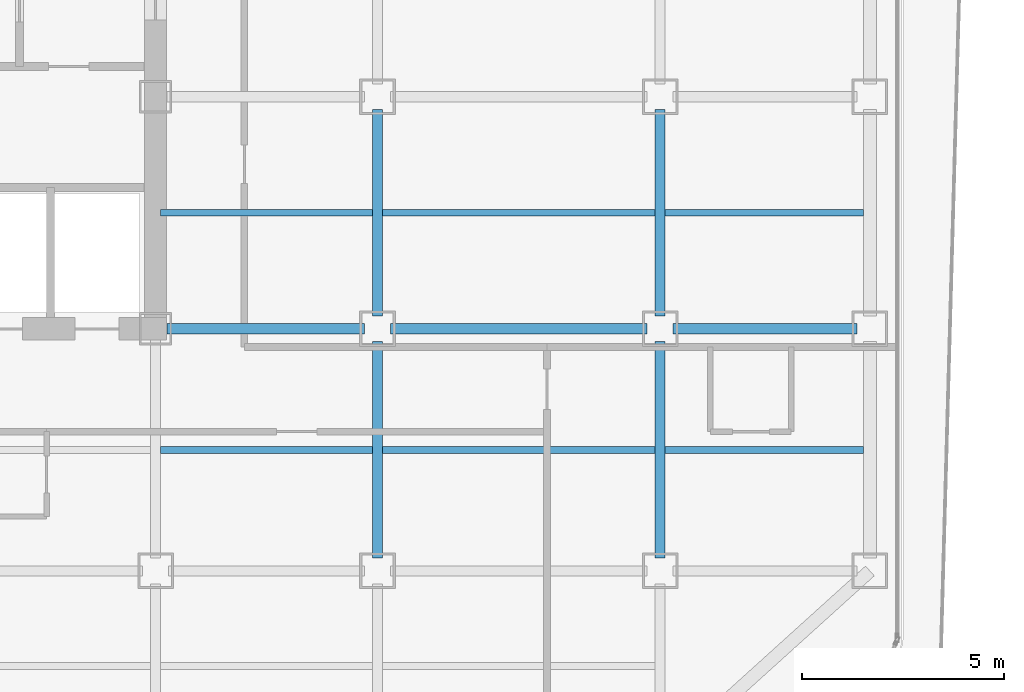
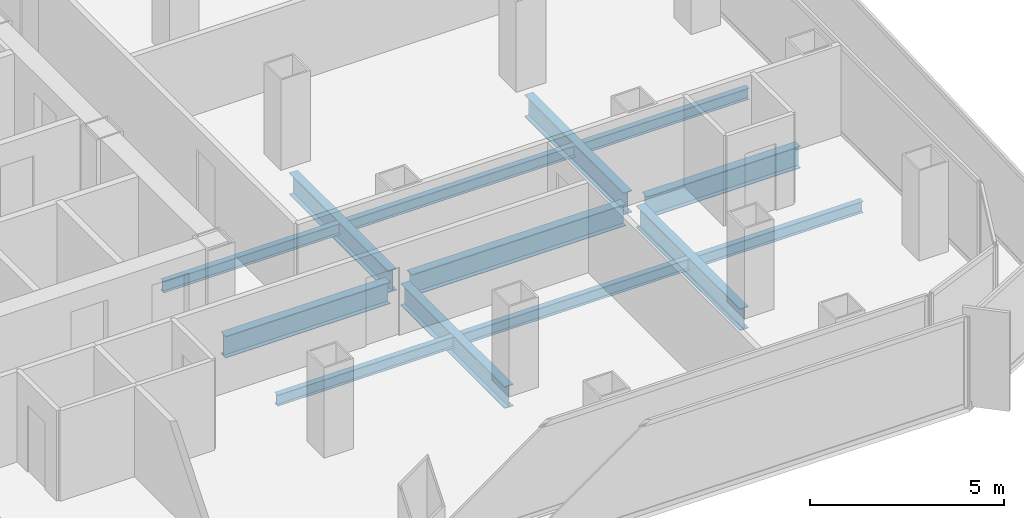
# One storey, part 7 of 21: 13 beams.
"""IFC4 building model written with IfcOpenShell, lengths in metres."""

import ifcopenshell
import ifcopenshell.guid

model = None  # the IFC model being written
_history = None  # IfcOwnerHistory: only IFC2X3 demands one
_inside = {}  # id of a spatial element -> (the spatial element, [elements in it])
_under = {}  # id of a project, library or spatial element -> (it, [spatial elements below it])
_declared = {}  # id of a project -> (the project, [libraries it declares])
_typed = {}  # id of a type object -> (the type object, [elements of that type])
_made_of = {}  # id of a material, layer set ... -> (it, [elements and type objects made of it])


def new_model(schema):
    """Start an empty IFC model of exactly this schema.

    Asked for "IFC4X3", IfcOpenShell would pick the latest addendum, in which some entities
    have other attributes; the version numbers below select the first issue.
    IFC2X3 requires an IfcOwnerHistory on every rooted entity: one is made here for all.
    """
    global model, _history
    if schema == "IFC4X3":
        model = ifcopenshell.file(schema_version=(4, 3, 0, 0))
    else:
        model = ifcopenshell.file(schema=schema)
    _inside.clear()
    _under.clear()
    _declared.clear()
    _typed.clear()
    _made_of.clear()
    _history = None
    if model.schema == "IFC2X3":
        org = make("IfcOrganization", Name="unknown")
        user = make(
            "IfcPersonAndOrganization",
            ThePerson=make("IfcPerson", FamilyName="unknown"),
            TheOrganization=org,
        )
        app = make(
            "IfcApplication",
            ApplicationDeveloper=org,
            Version="unknown",
            ApplicationFullName="unknown",
            ApplicationIdentifier="unknown",
        )
        _history = make(
            "IfcOwnerHistory",
            OwningUser=user,
            OwningApplication=app,
            ChangeAction="ADDED",
            CreationDate=0,
        )
    return model


def make(cls, **values):
    """One entity of the class cls with the attributes given. An attribute that is None is left unset."""
    return model.create_entity(
        cls, **{name: value for name, value in values.items() if value is not None}
    )


def rooted(cls, **values):
    """An entity with a GlobalId (a new one), such as an element, a storey or a relation."""
    return make(cls, GlobalId=ifcopenshell.guid.new(), OwnerHistory=_history, **values)


def si_unit(unit_type, name, prefix=None):
    """IfcSIUnit, for example si_unit("LENGTHUNIT", "METRE", prefix="MILLI")."""
    return make("IfcSIUnit", UnitType=unit_type, Prefix=prefix, Name=name)


def assignment(units):
    """IfcUnitAssignment: the units of a project."""
    return None if units is None else make("IfcUnitAssignment", Units=units)


def point(xyz):
    """IfcCartesianPoint."""
    return None if xyz is None else make("IfcCartesianPoint", Coordinates=xyz)


def direction(xyz):
    """IfcDirection."""
    return None if xyz is None else make("IfcDirection", DirectionRatios=xyz)


def frame(location, z_axis=None, x_axis=None):
    """IfcAxis2Placement3D, a coordinate frame: its origin and axes. An axis left out is left unset."""
    return make(
        "IfcAxis2Placement3D",
        Location=point(location),
        Axis=direction(z_axis),
        RefDirection=direction(x_axis),
    )


def frame_2d(location, x_axis=None):
    """IfcAxis2Placement2D, a coordinate frame in the plane: its origin and x axis."""
    return make(
        "IfcAxis2Placement2D", Location=point(location), RefDirection=direction(x_axis)
    )


def origin():
    """The frame at (0, 0, 0) with its axes left unset."""
    return frame((0.0, 0.0, 0.0))


def origin_2d():
    """The frame at (0, 0) in the plane with its x axis left unset."""
    return frame_2d((0.0, 0.0))


def place(relative_to, where):
    """IfcLocalPlacement: puts the frame where relative to a parent placement (None: the world)."""
    return make(
        "IfcLocalPlacement", PlacementRelTo=relative_to, RelativePlacement=where
    )


def context(
    kind, dimensions, precision=None, world=None, true_north=None, identifier=None
):
    """IfcGeometricRepresentationContext, for example the 3D "Model" context."""
    return make(
        "IfcGeometricRepresentationContext",
        ContextIdentifier=identifier,
        ContextType=kind,
        CoordinateSpaceDimension=dimensions,
        Precision=precision,
        WorldCoordinateSystem=world,
        TrueNorth=true_north,
    )


def subcontext(parent, identifier, kind, view, scale=None):
    """IfcGeometricRepresentationSubContext, for example "Body" below "Model"."""
    return make(
        "IfcGeometricRepresentationSubContext",
        ContextIdentifier=identifier,
        ContextType=kind,
        ParentContext=parent,
        TargetScale=scale,
        TargetView=view,
    )


def project(units=None, contexts=None):
    """IfcProject with its units and contexts."""
    return rooted(
        "IfcProject",
        Name="project",
        RepresentationContexts=contexts,
        UnitsInContext=assignment(units),
    )


def spatial(cls, under=None, at=None, **own):
    """A site, building, storey or space (cls), placed at a placement, below another one or the project."""
    s = rooted(cls, ObjectPlacement=at, **own)
    if under is not None:
        _under.setdefault(under.id(), (under, []))[1].append(s)
    return s


def profile(cls, at=None, kind="AREA", **sizes):
    """A parametric profile (cls). Its sizes go by their IFC names, for example OverallWidth=200.0."""
    return make(cls, ProfileType=kind, Position=at, **sizes)


def i_section(**sizes):
    """IfcIShapeProfileDef."""
    return profile("IfcIShapeProfileDef", **sizes)


def extrude(swept, where, along, depth):
    """IfcExtrudedAreaSolid: the profile swept, set in the frame where, extruded along a direction by depth."""
    return make(
        "IfcExtrudedAreaSolid",
        SweptArea=swept,
        Position=where,
        ExtrudedDirection=direction(along),
        Depth=depth,
    )


def shape(context_of_items, identifier, shape_type, items):
    """IfcShapeRepresentation: the items that make up one representation, for example the "Body"."""
    return make(
        "IfcShapeRepresentation",
        ContextOfItems=context_of_items,
        RepresentationIdentifier=identifier,
        RepresentationType=shape_type,
        Items=items,
    )


def source(mapping_origin, context_of_items, identifier, shape_type, items):
    """IfcRepresentationMap: a shape defined once, which mapped items show again and again."""
    return make(
        "IfcRepresentationMap",
        MappingOrigin=mapping_origin,
        MappedRepresentation=shape(context_of_items, identifier, shape_type, items),
    )


def transform(
    local_origin,
    x_axis=None,
    y_axis=None,
    z_axis=None,
    scale=None,
    scale2=None,
    scale3=None,
    uniform=True,
):
    """IfcCartesianTransformationOperator3D, or its non-uniform kind. x_axis, y_axis, z_axis: its Axis1, 2, 3."""
    if uniform:
        return make(
            "IfcCartesianTransformationOperator3D",
            Axis1=direction(x_axis),
            Axis2=direction(y_axis),
            LocalOrigin=point(local_origin),
            Scale=scale,
            Axis3=direction(z_axis),
        )
    return make(
        "IfcCartesianTransformationOperator3DnonUniform",
        Axis1=direction(x_axis),
        Axis2=direction(y_axis),
        LocalOrigin=point(local_origin),
        Scale=scale,
        Axis3=direction(z_axis),
        Scale2=scale2,
        Scale3=scale3,
    )


def mapped(mapping_source, mapping_target):
    """IfcMappedItem: shows the shape of a source again, moved by a transform."""
    return make(
        "IfcMappedItem", MappingSource=mapping_source, MappingTarget=mapping_target
    )


def material(Name=None, Category=None):
    """IfcMaterial."""
    return make("IfcMaterial", Name=Name, Category=Category)


def material_profile(
    of_material, cross_section, Name=None, Category=None, Priority=None
):
    """IfcMaterialProfile: a cross section and its material."""
    return make(
        "IfcMaterialProfile",
        Name=Name,
        Material=of_material,
        Profile=cross_section,
        Priority=Priority,
        Category=Category,
    )


def profile_set(profiles, Name=None, composite=None):
    """IfcMaterialProfileSet."""
    return make(
        "IfcMaterialProfileSet",
        Name=Name,
        MaterialProfiles=profiles,
        CompositeProfile=composite,
    )


def made_of(thing, what):
    """Note that an element or type object is made of a material, layer set ...; save() writes the relation."""
    if what is not None:
        _made_of.setdefault(what.id(), (what, []))[1].append(thing)
    return thing


def type_object(cls, material=None, **own):
    """A type object (cls), such as IfcWallType, which elements share."""
    return made_of(rooted(cls, **own), material)


def element(
    cls,
    number,
    at=None,
    inside=None,
    cuts=None,
    type_object=None,
    material=None,
    context=None,
    identifier="Body",
    shape_type=None,
    held_by="IfcProductDefinitionShape",
    body=None,
    shapes=None,
    **own,
):
    """One element of the class cls, such as IfcWall. Its Tag is "e" and its number.

    at: its placement. inside: the storey or other place that contains it. cuts: it is an
    opening in that element (IfcRelVoidsElement). A single representation is given by context,
    identifier, shape_type and body (its items); several are given by shapes. held_by: the class
    of the entity that holds the representations. save() writes the other relations.
    """
    e = rooted(cls, Tag="e%d" % number, ObjectPlacement=at, **own)
    if body is not None:
        shapes = [shape(context, identifier, shape_type, body)]
    if shapes is not None:
        e.Representation = make(held_by, Representations=shapes)
    if inside is not None:
        _inside.setdefault(inside.id(), (inside, []))[1].append(e)
    if cuts is not None:
        rooted(
            "IfcRelVoidsElement", RelatingBuildingElement=cuts, RelatedOpeningElement=e
        )
    if type_object is not None:
        _typed.setdefault(type_object.id(), (type_object, []))[1].append(e)
    return made_of(e, material)


def aggregate(whole, parts):
    """IfcRelAggregates: a whole, such as a stair, and the parts it consists of."""
    return rooted("IfcRelAggregates", RelatingObject=whole, RelatedObjects=parts)


def save(model, path):
    """Write the relations noted so far, then the file.

    IfcRelAggregates (storeys below a building ...), IfcRelContainedInSpatialStructure (elements
    in a storey), IfcRelDefinesByType, IfcRelAssociatesMaterial and IfcRelDeclares: one each for
    every whole, place, type object, material and project.
    """
    for whole, parts in _under.values():
        aggregate(whole, parts)
    for where, things in _inside.values():
        rooted(
            "IfcRelContainedInSpatialStructure",
            RelatedElements=things,
            RelatingStructure=where,
        )
    for kind, things in _typed.values():
        rooted("IfcRelDefinesByType", RelatedObjects=things, RelatingType=kind)
    for what, things in _made_of.values():
        rooted("IfcRelAssociatesMaterial", RelatedObjects=things, RelatingMaterial=what)
    for by, libraries in _declared.values():
        rooted("IfcRelDeclares", RelatingContext=by, RelatedDefinitions=libraries)
    model.write(path)


model = new_model("IFC4")

# Units and contexts
model_context = context("Model", 3, precision=1e-05, world=origin(), true_north=direction((0.0, 1.0)))
body_context = subcontext(model_context, "Body", "Model", "MODEL_VIEW")
ifc_project = project(units=[si_unit("LENGTHUNIT", "METRE"), si_unit("AREAUNIT", "SQUARE_METRE"), si_unit("VOLUMEUNIT", "CUBIC_METRE"), si_unit("PLANEANGLEUNIT", "RADIAN"), si_unit("MASSUNIT", "GRAM", prefix="KILO")], contexts=[model_context])

# Site, building, storey
site_placement = place(None, origin())
site = spatial("IfcSite", under=ifc_project, at=site_placement, CompositionType="ELEMENT")
building_placement = place(site_placement, origin())
building = spatial("IfcBuilding", under=site, at=building_placement, Name="Kolveth Station Tower", CompositionType="ELEMENT")
storey_placement = place(building_placement, frame((0.0, 0.0, 140.699951171875)))
storey = spatial("IfcBuildingStorey", under=building, at=storey_placement, Name="L39", CompositionType="ELEMENT", Elevation=140.699951171875)

# Beams
ifc_material = material(Name="Steel S355", Category="steel")
ifc_material_profile_1 = material_profile(ifc_material, i_section(OverallWidth=0.25390625, OverallDepth=0.68798828125, WebThickness=0.01318359375, FlangeThickness=0.02099609375, at=origin_2d()), Name="W690x152")
ifc_profile_set_1 = profile_set([ifc_material_profile_1], Name="Steel S355")
beam_type_1 = type_object("IfcBeamType", Name="Beam_B4", PredefinedType="BEAM", material=ifc_profile_set_1)
shared_shape_1 = source(origin(), body_context, "Body", "SweptSolid", [
    extrude(i_section(OverallWidth=0.25390625, OverallDepth=0.68798828125, WebThickness=0.01318359375, FlangeThickness=0.02099609375, at=origin_2d()), origin(), (0.0, 0.0, 1.0), 4.559814453125),
])
beam_1_placement = place(storey_placement, frame((41.320068359375, 11.5, -0.593994140625), z_axis=(1.0, 0.0, 0.0), x_axis=(0.0, 1.0, 0.0)))
element("IfcBeam", 1, at=beam_1_placement, inside=storey, type_object=beam_type_1, Name="L39 Primary Girder BM-L39-GY115-7", PredefinedType="BEAM", context=body_context, shape_type="MappedRepresentation", body=[
    mapped(shared_shape_1, transform((0.0, 0.0, 0.0), x_axis=(1.0, 0.0, 0.0), y_axis=(0.0, 1.0, 0.0), z_axis=(0.0, 0.0, 1.0), scale=1.0)),
])
shared_shape_2 = source(origin(), body_context, "Body", "SweptSolid", [
    extrude(i_section(OverallWidth=0.25390625, OverallDepth=0.68798828125, WebThickness=0.01318359375, FlangeThickness=0.02099609375, at=origin_2d()), origin(), (0.0, 0.0, 1.0), 6.35986328125),
])
beam_2_placement = place(storey_placement, frame((34.320068359375, 11.5, -0.593994140625), z_axis=(1.0, 0.0, 0.0), x_axis=(0.0, 1.0, 0.0)))
element("IfcBeam", 2, at=beam_2_placement, inside=storey, type_object=beam_type_1, Name="L39 Primary Girder BM-L39-GY115-6", PredefinedType="BEAM", context=body_context, shape_type="MappedRepresentation", body=[
    mapped(shared_shape_2, transform((0.0, 0.0, 0.0), x_axis=(1.0, 0.0, 0.0), y_axis=(0.0, 1.0, 0.0), z_axis=(0.0, 0.0, 1.0), scale=1.0)),
])
shared_shape_3 = source(origin(), body_context, "Body", "SweptSolid", [
    extrude(i_section(OverallWidth=0.25390625, OverallDepth=0.68798828125, WebThickness=0.01318359375, FlangeThickness=0.02099609375, at=origin_2d()), origin(), (0.0, 0.0, 1.0), 4.89990234375),
])
beam_3_placement = place(storey_placement, frame((28.780029296875, 11.5, -0.593994140625), z_axis=(1.0, 0.0, 0.0), x_axis=(0.0, 1.0, 0.0)))
element("IfcBeam", 3, at=beam_3_placement, inside=storey, type_object=beam_type_1, Name="L39 Primary Girder BM-L39-GY115-5", PredefinedType="BEAM", context=body_context, shape_type="MappedRepresentation", body=[
    mapped(shared_shape_3, transform((0.0, 0.0, 0.0), x_axis=(1.0, 0.0, 0.0), y_axis=(0.0, 1.0, 0.0), z_axis=(0.0, 0.0, 1.0), scale=1.0)),
])
shared_shape_4 = source(origin(), body_context, "Body", "SweptSolid", [
    extrude(i_section(OverallWidth=0.25390625, OverallDepth=0.68798828125, WebThickness=0.01318359375, FlangeThickness=0.02099609375, at=origin_2d()), origin(), (0.0, 0.0, 1.0), 5.35986328125),
])
for number, where, z_axis, x_axis, name in (
    (4, (34.0, 5.820068359375, -0.593994140625), (0.0, 1.0, 0.0), (-1.0, 0.0, 0.0), "L39 Primary Girder BM-L39-GX340-2"),
    (5, (41.0, 5.820068359375, -0.593994140625), (0.0, 1.0, 0.0), (-1.0, 0.0, 0.0), "L39 Primary Girder BM-L39-GX410-2"),
):
    element("IfcBeam", number, at=place(storey_placement, frame(where, z_axis=z_axis, x_axis=x_axis)), inside=storey, type_object=beam_type_1, Name=name, PredefinedType="BEAM", context=body_context, shape_type="MappedRepresentation", body=[
        mapped(shared_shape_4, transform((0.0, 0.0, 0.0), x_axis=(1.0, 0.0, 0.0), y_axis=(0.0, 1.0, 0.0), z_axis=(0.0, 0.0, 1.0), scale=1.0)),
    ])
shared_shape_5 = source(origin(), body_context, "Body", "SweptSolid", [
    extrude(i_section(OverallWidth=0.25390625, OverallDepth=0.68798828125, WebThickness=0.01318359375, FlangeThickness=0.02099609375, at=origin_2d()), origin(), (0.0, 0.0, 1.0), 5.10986328125),
])
for number, where, z_axis, x_axis, name in (
    (6, (34.0, 11.820068359375, -0.593994140625), (0.0, 1.0, 0.0), (-1.0, 0.0, 0.0), "L39 Primary Girder BM-L39-GX340-3"),
    (7, (41.0, 11.820068359375, -0.593994140625), (0.0, 1.0, 0.0), (-1.0, 0.0, 0.0), "L39 Primary Girder BM-L39-GX410-3"),
):
    element("IfcBeam", number, at=place(storey_placement, frame(where, z_axis=z_axis, x_axis=x_axis)), inside=storey, type_object=beam_type_1, Name=name, PredefinedType="BEAM", context=body_context, shape_type="MappedRepresentation", body=[
        mapped(shared_shape_5, transform((0.0, 0.0, 0.0), x_axis=(1.0, 0.0, 0.0), y_axis=(0.0, 1.0, 0.0), z_axis=(0.0, 0.0, 1.0), scale=1.0)),
    ])
ifc_material_profile_2 = material_profile(ifc_material, i_section(OverallWidth=0.1708984375, OverallDepth=0.35205078125, WebThickness=0.0068359375, FlangeThickness=0.009765625, at=origin_2d()), Name="W360x44")
ifc_profile_set_2 = profile_set([ifc_material_profile_2], Name="Steel S355")
beam_type_2 = type_object("IfcBeamType", Name="Beam_J2", PredefinedType="JOIST", material=ifc_profile_set_2)
shared_shape_6 = source(origin(), body_context, "Body", "SweptSolid", [
    extrude(i_section(OverallWidth=0.1708984375, OverallDepth=0.35205078125, WebThickness=0.0068359375, FlangeThickness=0.009765625, at=origin_2d()), origin(), (0.0, 0.0, 1.0), 4.9150390625),
])
for number, where, z_axis, x_axis, name in (
    (8, (41.125, 8.5, -0.426025390625), (1.0, 0.0, 0.0), (0.0, 1.0, 0.0), "L39 Secondary Joist JST-L39-7-2"),
    (9, (41.125, 14.375, -0.426025390625), (1.0, 0.0, 0.0), (0.0, 1.0, 0.0), "L39 Secondary Joist JST-L39-7-3"),
):
    element("IfcBeam", number, at=place(storey_placement, frame(where, z_axis=z_axis, x_axis=x_axis)), inside=storey, type_object=beam_type_2, Name=name, PredefinedType="JOIST", context=body_context, shape_type="MappedRepresentation", body=[
        mapped(shared_shape_6, transform((0.0, 0.0, 0.0), x_axis=(1.0, 0.0, 0.0), y_axis=(0.0, 1.0, 0.0), z_axis=(0.0, 0.0, 1.0), scale=1.0)),
    ])
shared_shape_7 = source(origin(), body_context, "Body", "SweptSolid", [
    extrude(i_section(OverallWidth=0.1708984375, OverallDepth=0.35205078125, WebThickness=0.0068359375, FlangeThickness=0.009765625, at=origin_2d()), origin(), (0.0, 0.0, 1.0), 6.75),
])
for number, where, z_axis, x_axis, name in (
    (10, (34.125, 8.5, -0.426025390625), (1.0, 0.0, 0.0), (0.0, 1.0, 0.0), "L39 Secondary Joist JST-L39-6-2"),
    (11, (34.125, 14.375, -0.426025390625), (1.0, 0.0, 0.0), (0.0, 1.0, 0.0), "L39 Secondary Joist JST-L39-6-3"),
):
    element("IfcBeam", number, at=place(storey_placement, frame(where, z_axis=z_axis, x_axis=x_axis)), inside=storey, type_object=beam_type_2, Name=name, PredefinedType="JOIST", context=body_context, shape_type="MappedRepresentation", body=[
        mapped(shared_shape_7, transform((0.0, 0.0, 0.0), x_axis=(1.0, 0.0, 0.0), y_axis=(0.0, 1.0, 0.0), z_axis=(0.0, 0.0, 1.0), scale=1.0)),
    ])
shared_shape_8 = source(origin(), body_context, "Body", "SweptSolid", [
    extrude(i_section(OverallWidth=0.1708984375, OverallDepth=0.35205078125, WebThickness=0.0068359375, FlangeThickness=0.009765625, at=origin_2d()), origin(), (0.0, 0.0, 1.0), 5.25),
])
for number, where, z_axis, x_axis, name in (
    (12, (28.625, 8.5, -0.426025390625), (1.0, 0.0, 0.0), (0.0, 1.0, 0.0), "L39 Secondary Joist JST-L39-5-2"),
    (13, (28.625, 14.375, -0.426025390625), (1.0, 0.0, 0.0), (0.0, 1.0, 0.0), "L39 Secondary Joist JST-L39-5-3"),
):
    element("IfcBeam", number, at=place(storey_placement, frame(where, z_axis=z_axis, x_axis=x_axis)), inside=storey, type_object=beam_type_2, Name=name, PredefinedType="JOIST", context=body_context, shape_type="MappedRepresentation", body=[
        mapped(shared_shape_8, transform((0.0, 0.0, 0.0), x_axis=(1.0, 0.0, 0.0), y_axis=(0.0, 1.0, 0.0), z_axis=(0.0, 0.0, 1.0), scale=1.0)),
    ])

save(model, "model.ifc")
